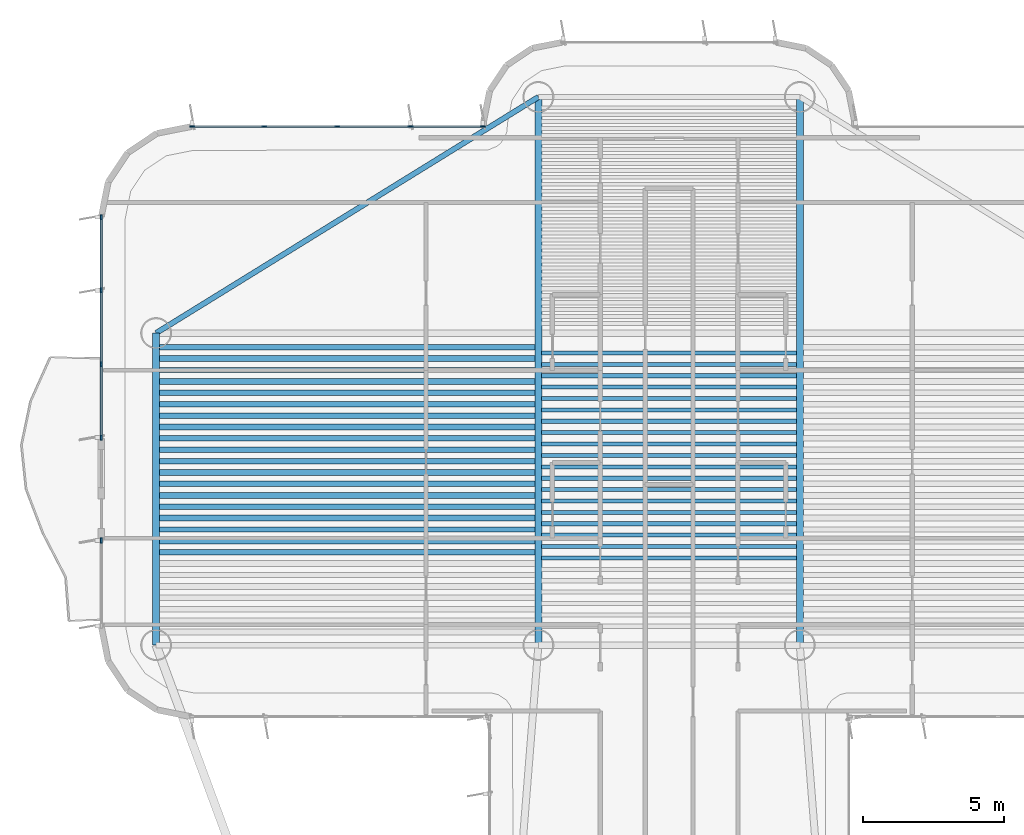
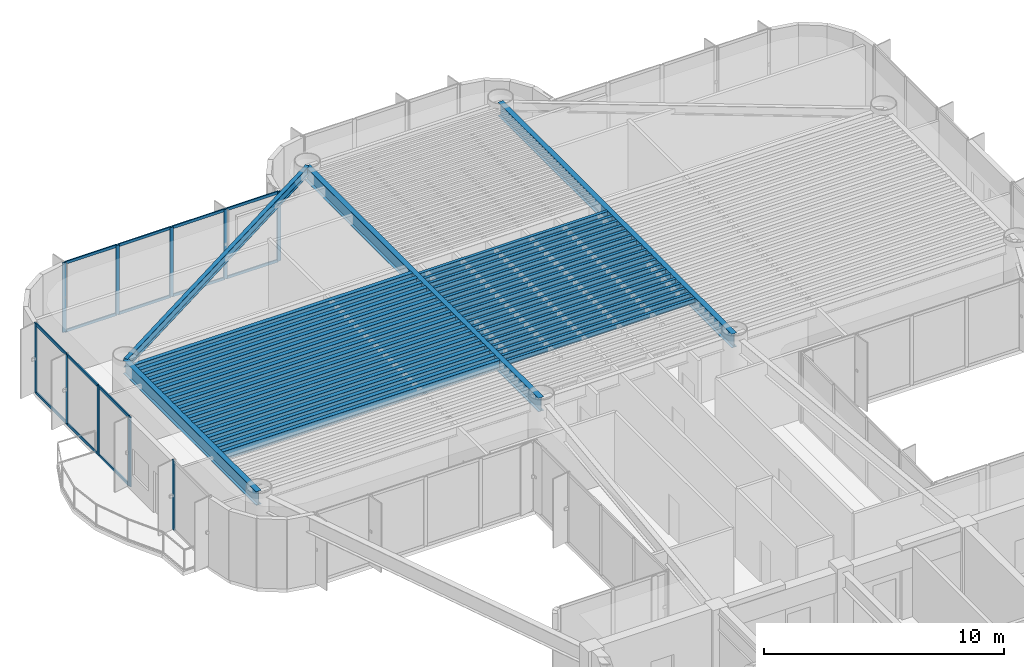
# One storey, part 5 of 15: 42 beams, 24 members, 3 elements without a shape of their own.
"""IFC4 building model written with IfcOpenShell, lengths in metres."""

import ifcopenshell
import ifcopenshell.guid

model = None  # the IFC model being written
_history = None  # IfcOwnerHistory: only IFC2X3 demands one
_inside = {}  # id of a spatial element -> (the spatial element, [elements in it])
_under = {}  # id of a project, library or spatial element -> (it, [spatial elements below it])
_declared = {}  # id of a project -> (the project, [libraries it declares])
_typed = {}  # id of a type object -> (the type object, [elements of that type])
_made_of = {}  # id of a material, layer set ... -> (it, [elements and type objects made of it])


def new_model(schema):
    """Start an empty IFC model of exactly this schema.

    Asked for "IFC4X3", IfcOpenShell would pick the latest addendum, in which some entities
    have other attributes; the version numbers below select the first issue.
    IFC2X3 requires an IfcOwnerHistory on every rooted entity: one is made here for all.
    """
    global model, _history
    if schema == "IFC4X3":
        model = ifcopenshell.file(schema_version=(4, 3, 0, 0))
    else:
        model = ifcopenshell.file(schema=schema)
    _inside.clear()
    _under.clear()
    _declared.clear()
    _typed.clear()
    _made_of.clear()
    _history = None
    if model.schema == "IFC2X3":
        org = make("IfcOrganization", Name="unknown")
        user = make(
            "IfcPersonAndOrganization",
            ThePerson=make("IfcPerson", FamilyName="unknown"),
            TheOrganization=org,
        )
        app = make(
            "IfcApplication",
            ApplicationDeveloper=org,
            Version="unknown",
            ApplicationFullName="unknown",
            ApplicationIdentifier="unknown",
        )
        _history = make(
            "IfcOwnerHistory",
            OwningUser=user,
            OwningApplication=app,
            ChangeAction="ADDED",
            CreationDate=0,
        )
    return model


def make(cls, **values):
    """One entity of the class cls with the attributes given. An attribute that is None is left unset."""
    return model.create_entity(
        cls, **{name: value for name, value in values.items() if value is not None}
    )


def rooted(cls, **values):
    """An entity with a GlobalId (a new one), such as an element, a storey or a relation."""
    return make(cls, GlobalId=ifcopenshell.guid.new(), OwnerHistory=_history, **values)


def si_unit(unit_type, name, prefix=None):
    """IfcSIUnit, for example si_unit("LENGTHUNIT", "METRE", prefix="MILLI")."""
    return make("IfcSIUnit", UnitType=unit_type, Prefix=prefix, Name=name)


def assignment(units):
    """IfcUnitAssignment: the units of a project."""
    return None if units is None else make("IfcUnitAssignment", Units=units)


def point(xyz):
    """IfcCartesianPoint."""
    return None if xyz is None else make("IfcCartesianPoint", Coordinates=xyz)


def direction(xyz):
    """IfcDirection."""
    return None if xyz is None else make("IfcDirection", DirectionRatios=xyz)


def frame(location, z_axis=None, x_axis=None):
    """IfcAxis2Placement3D, a coordinate frame: its origin and axes. An axis left out is left unset."""
    return make(
        "IfcAxis2Placement3D",
        Location=point(location),
        Axis=direction(z_axis),
        RefDirection=direction(x_axis),
    )


def frame_2d(location, x_axis=None):
    """IfcAxis2Placement2D, a coordinate frame in the plane: its origin and x axis."""
    return make(
        "IfcAxis2Placement2D", Location=point(location), RefDirection=direction(x_axis)
    )


def origin():
    """The frame at (0, 0, 0) with its axes left unset."""
    return frame((0.0, 0.0, 0.0))


def origin_2d():
    """The frame at (0, 0) in the plane with its x axis left unset."""
    return frame_2d((0.0, 0.0))


def place(relative_to, where):
    """IfcLocalPlacement: puts the frame where relative to a parent placement (None: the world)."""
    return make(
        "IfcLocalPlacement", PlacementRelTo=relative_to, RelativePlacement=where
    )


def context(
    kind, dimensions, precision=None, world=None, true_north=None, identifier=None
):
    """IfcGeometricRepresentationContext, for example the 3D "Model" context."""
    return make(
        "IfcGeometricRepresentationContext",
        ContextIdentifier=identifier,
        ContextType=kind,
        CoordinateSpaceDimension=dimensions,
        Precision=precision,
        WorldCoordinateSystem=world,
        TrueNorth=true_north,
    )


def subcontext(parent, identifier, kind, view, scale=None):
    """IfcGeometricRepresentationSubContext, for example "Body" below "Model"."""
    return make(
        "IfcGeometricRepresentationSubContext",
        ContextIdentifier=identifier,
        ContextType=kind,
        ParentContext=parent,
        TargetScale=scale,
        TargetView=view,
    )


def project(units=None, contexts=None):
    """IfcProject with its units and contexts."""
    return rooted(
        "IfcProject",
        Name="project",
        RepresentationContexts=contexts,
        UnitsInContext=assignment(units),
    )


def spatial(cls, under=None, at=None, **own):
    """A site, building, storey or space (cls), placed at a placement, below another one or the project."""
    s = rooted(cls, ObjectPlacement=at, **own)
    if under is not None:
        _under.setdefault(under.id(), (under, []))[1].append(s)
    return s


def profile(cls, at=None, kind="AREA", **sizes):
    """A parametric profile (cls). Its sizes go by their IFC names, for example OverallWidth=200.0."""
    return make(cls, ProfileType=kind, Position=at, **sizes)


def rectangle(**sizes):
    """IfcRectangleProfileDef."""
    return profile("IfcRectangleProfileDef", **sizes)


def i_section(**sizes):
    """IfcIShapeProfileDef."""
    return profile("IfcIShapeProfileDef", **sizes)


def extrude(swept, where, along, depth):
    """IfcExtrudedAreaSolid: the profile swept, set in the frame where, extruded along a direction by depth."""
    return make(
        "IfcExtrudedAreaSolid",
        SweptArea=swept,
        Position=where,
        ExtrudedDirection=direction(along),
        Depth=depth,
    )


def shape(context_of_items, identifier, shape_type, items):
    """IfcShapeRepresentation: the items that make up one representation, for example the "Body"."""
    return make(
        "IfcShapeRepresentation",
        ContextOfItems=context_of_items,
        RepresentationIdentifier=identifier,
        RepresentationType=shape_type,
        Items=items,
    )


def source(mapping_origin, context_of_items, identifier, shape_type, items):
    """IfcRepresentationMap: a shape defined once, which mapped items show again and again."""
    return make(
        "IfcRepresentationMap",
        MappingOrigin=mapping_origin,
        MappedRepresentation=shape(context_of_items, identifier, shape_type, items),
    )


def transform(
    local_origin,
    x_axis=None,
    y_axis=None,
    z_axis=None,
    scale=None,
    scale2=None,
    scale3=None,
    uniform=True,
):
    """IfcCartesianTransformationOperator3D, or its non-uniform kind. x_axis, y_axis, z_axis: its Axis1, 2, 3."""
    if uniform:
        return make(
            "IfcCartesianTransformationOperator3D",
            Axis1=direction(x_axis),
            Axis2=direction(y_axis),
            LocalOrigin=point(local_origin),
            Scale=scale,
            Axis3=direction(z_axis),
        )
    return make(
        "IfcCartesianTransformationOperator3DnonUniform",
        Axis1=direction(x_axis),
        Axis2=direction(y_axis),
        LocalOrigin=point(local_origin),
        Scale=scale,
        Axis3=direction(z_axis),
        Scale2=scale2,
        Scale3=scale3,
    )


def mapped(mapping_source, mapping_target):
    """IfcMappedItem: shows the shape of a source again, moved by a transform."""
    return make(
        "IfcMappedItem", MappingSource=mapping_source, MappingTarget=mapping_target
    )


def material(Name=None, Category=None):
    """IfcMaterial."""
    return make("IfcMaterial", Name=Name, Category=Category)


def layer(
    of_material, thickness, ventilated=None, Name=None, Category=None, Priority=None
):
    """IfcMaterialLayer: one layer of a wall or slab, of a material (None: an air gap)."""
    return make(
        "IfcMaterialLayer",
        Material=of_material,
        LayerThickness=thickness,
        IsVentilated=ventilated,
        Name=Name,
        Category=Category,
        Priority=Priority,
    )


def layer_set(layers, Name=None):
    """IfcMaterialLayerSet."""
    return make("IfcMaterialLayerSet", MaterialLayers=layers, LayerSetName=Name)


def material_profile(
    of_material, cross_section, Name=None, Category=None, Priority=None
):
    """IfcMaterialProfile: a cross section and its material."""
    return make(
        "IfcMaterialProfile",
        Name=Name,
        Material=of_material,
        Profile=cross_section,
        Priority=Priority,
        Category=Category,
    )


def profile_set(profiles, Name=None, composite=None):
    """IfcMaterialProfileSet."""
    return make(
        "IfcMaterialProfileSet",
        Name=Name,
        MaterialProfiles=profiles,
        CompositeProfile=composite,
    )


def made_of(thing, what):
    """Note that an element or type object is made of a material, layer set ...; save() writes the relation."""
    if what is not None:
        _made_of.setdefault(what.id(), (what, []))[1].append(thing)
    return thing


def type_object(cls, material=None, **own):
    """A type object (cls), such as IfcWallType, which elements share."""
    return made_of(rooted(cls, **own), material)


def element(
    cls,
    number,
    at=None,
    inside=None,
    cuts=None,
    type_object=None,
    material=None,
    context=None,
    identifier="Body",
    shape_type=None,
    held_by="IfcProductDefinitionShape",
    body=None,
    shapes=None,
    **own,
):
    """One element of the class cls, such as IfcWall. Its Tag is "e" and its number.

    at: its placement. inside: the storey or other place that contains it. cuts: it is an
    opening in that element (IfcRelVoidsElement). A single representation is given by context,
    identifier, shape_type and body (its items); several are given by shapes. held_by: the class
    of the entity that holds the representations. save() writes the other relations.
    """
    e = rooted(cls, Tag="e%d" % number, ObjectPlacement=at, **own)
    if body is not None:
        shapes = [shape(context, identifier, shape_type, body)]
    if shapes is not None:
        e.Representation = make(held_by, Representations=shapes)
    if inside is not None:
        _inside.setdefault(inside.id(), (inside, []))[1].append(e)
    if cuts is not None:
        rooted(
            "IfcRelVoidsElement", RelatingBuildingElement=cuts, RelatedOpeningElement=e
        )
    if type_object is not None:
        _typed.setdefault(type_object.id(), (type_object, []))[1].append(e)
    return made_of(e, material)


def aggregate(whole, parts):
    """IfcRelAggregates: a whole, such as a stair, and the parts it consists of."""
    return rooted("IfcRelAggregates", RelatingObject=whole, RelatedObjects=parts)


def save(model, path):
    """Write the relations noted so far, then the file.

    IfcRelAggregates (storeys below a building ...), IfcRelContainedInSpatialStructure (elements
    in a storey), IfcRelDefinesByType, IfcRelAssociatesMaterial and IfcRelDeclares: one each for
    every whole, place, type object, material and project.
    """
    for whole, parts in _under.values():
        aggregate(whole, parts)
    for where, things in _inside.values():
        rooted(
            "IfcRelContainedInSpatialStructure",
            RelatedElements=things,
            RelatingStructure=where,
        )
    for kind, things in _typed.values():
        rooted("IfcRelDefinesByType", RelatedObjects=things, RelatingType=kind)
    for what, things in _made_of.values():
        rooted("IfcRelAssociatesMaterial", RelatedObjects=things, RelatingMaterial=what)
    for by, libraries in _declared.values():
        rooted("IfcRelDeclares", RelatingContext=by, RelatedDefinitions=libraries)
    model.write(path)


model = new_model("IFC4")

# Units and contexts
model_context = context("Model", 3, precision=1e-05, world=origin(), true_north=direction((0.0, 1.0)))
body_context = subcontext(model_context, "Body", "Model", "MODEL_VIEW")
ifc_project = project(units=[si_unit("LENGTHUNIT", "METRE"), si_unit("AREAUNIT", "SQUARE_METRE"), si_unit("VOLUMEUNIT", "CUBIC_METRE"), si_unit("PLANEANGLEUNIT", "RADIAN"), si_unit("MASSUNIT", "GRAM", prefix="KILO")], contexts=[model_context])

# Site, building, storey
site_placement = place(None, origin())
site = spatial("IfcSite", under=ifc_project, at=site_placement, CompositionType="ELEMENT")
building_placement = place(site_placement, origin())
building = spatial("IfcBuilding", under=site, at=building_placement, Name="Brelvock Crest Care Tower", CompositionType="ELEMENT")
storey_placement = place(building_placement, frame((0.0, 0.0, 167.760009765625)))
storey = spatial("IfcBuildingStorey", under=building, at=storey_placement, Name="L42", CompositionType="ELEMENT", Elevation=167.760009765625)

# Beams
ifc_material_1 = material(Name="Steel Grade 350", Category="steel")
ifc_material_profile_1 = material_profile(ifc_material_1, i_section(OverallWidth=0.14599609375, OverallDepth=0.256103515625, WebThickness=0.00634765625, FlangeThickness=0.010986328125, FilletRadius=0.0087890625, at=origin_2d()), Name="250UB37.3")
ifc_profile_set_1 = profile_set([ifc_material_profile_1], Name="Steel Grade 350")
beam_type_1 = type_object("IfcBeamType", Name="BM-J3", PredefinedType="JOIST", material=ifc_profile_set_1)
shared_shape_1 = source(origin(), body_context, "Body", "SweptSolid", [
    extrude(i_section(OverallWidth=0.14599609375, OverallDepth=0.256103515625, WebThickness=0.00634765625, FlangeThickness=0.010986328125, FilletRadius=0.0087890625, at=origin_2d()), origin(), (0.0, 0.0, 1.0), 9.06982421875),
])
for number, where, z_axis, x_axis, name in (
    (1, (31.465087890625, 38.0498046875, 3.402099609375), (1.0, 0.0, 0.0), (0.0, 1.0, 0.0), "BM-JH-L42-7"),
    (2, (31.465087890625, 38.454833984375, 3.402099609375), (1.0, 0.0, 0.0), (0.0, 1.0, 0.0), "BM-JH-L42-8"),
    (3, (31.465087890625, 38.860107421875, 3.402099609375), (1.0, 0.0, 0.0), (0.0, 1.0, 0.0), "BM-JH-L42-9"),
    (4, (31.465087890625, 39.26513671875, 3.402099609375), (1.0, 0.0, 0.0), (0.0, 1.0, 0.0), "BM-JH-L42-10"),
    (5, (31.465087890625, 39.67041015625, 3.402099609375), (1.0, 0.0, 0.0), (0.0, 1.0, 0.0), "BM-JH-L42-11"),
    (6, (31.465087890625, 40.075439453125, 3.402099609375), (1.0, 0.0, 0.0), (0.0, 1.0, 0.0), "BM-JH-L42-12"),
    (7, (31.465087890625, 40.480712890625, 3.402099609375), (1.0, 0.0, 0.0), (0.0, 1.0, 0.0), "BM-JH-L42-13"),
    (8, (31.465087890625, 40.8857421875, 3.402099609375), (1.0, 0.0, 0.0), (0.0, 1.0, 0.0), "BM-JH-L42-14"),
    (9, (31.465087890625, 41.291015625, 3.402099609375), (1.0, 0.0, 0.0), (0.0, 1.0, 0.0), "BM-JH-L42-15"),
    (10, (31.465087890625, 41.696044921875, 3.402099609375), (1.0, 0.0, 0.0), (0.0, 1.0, 0.0), "BM-JH-L42-16"),
    (11, (31.465087890625, 42.101318359375, 3.402099609375), (1.0, 0.0, 0.0), (0.0, 1.0, 0.0), "BM-JH-L42-17"),
    (12, (31.465087890625, 42.50634765625, 3.402099609375), (1.0, 0.0, 0.0), (0.0, 1.0, 0.0), "BM-JH-L42-18"),
    (13, (31.465087890625, 42.91162109375, 3.402099609375), (1.0, 0.0, 0.0), (0.0, 1.0, 0.0), "BM-JH-L42-19"),
    (14, (31.465087890625, 43.316650390625, 3.402099609375), (1.0, 0.0, 0.0), (0.0, 1.0, 0.0), "BM-JH-L42-20"),
    (15, (31.465087890625, 43.7216796875, 3.402099609375), (1.0, 0.0, 0.0), (0.0, 1.0, 0.0), "BM-JH-L42-21"),
    (16, (31.465087890625, 44.126953125, 3.402099609375), (1.0, 0.0, 0.0), (0.0, 1.0, 0.0), "BM-JH-L42-22"),
    (17, (31.465087890625, 44.531982421875, 3.402099609375), (1.0, 0.0, 0.0), (0.0, 1.0, 0.0), "BM-JH-L42-23"),
    (18, (31.465087890625, 44.937255859375, 3.402099609375), (1.0, 0.0, 0.0), (0.0, 1.0, 0.0), "BM-JH-L42-24"),
    (19, (31.465087890625, 45.34228515625, 3.402099609375), (1.0, 0.0, 0.0), (0.0, 1.0, 0.0), "BM-JH-L42-25"),
):
    element("IfcBeam", number, at=place(storey_placement, frame(where, z_axis=z_axis, x_axis=x_axis)), inside=storey, type_object=beam_type_1, Name=name, PredefinedType="JOIST", context=body_context, shape_type="MappedRepresentation", body=[
        mapped(shared_shape_1, transform((0.0, 0.0, 0.0), x_axis=(1.0, 0.0, 0.0), y_axis=(0.0, 1.0, 0.0), z_axis=(0.0, 0.0, 1.0), scale=1.0)),
    ])
ifc_material_profile_2 = material_profile(ifc_material_1, i_section(OverallWidth=0.208984375, OverallDepth=0.532958984375, WebThickness=0.01025390625, FlangeThickness=0.015625, FilletRadius=0.013916015625, at=origin_2d()), Name="530UB92.4")
ifc_profile_set_2 = profile_set([ifc_material_profile_2], Name="Steel Grade 350")
beam_type_2 = type_object("IfcBeamType", Name="BM-G2", PredefinedType="BEAM", material=ifc_profile_set_2)
shared_shape_2 = source(origin(), body_context, "Body", "SweptSolid", [
    extrude(i_section(OverallWidth=0.208984375, OverallDepth=0.532958984375, WebThickness=0.01025390625, FlangeThickness=0.015625, FilletRadius=0.013916015625, at=origin_2d()), origin(), (0.0, 0.0, 1.0), 13.3701171875),
])
for number, where, z_axis, x_axis, name in (
    (20, (17.864990234375, 38.657470703125, 3.263427734375), (1.0, 0.0, 0.0), (0.0, 1.0, 0.0), "BM-JW-L42-9"),
    (21, (17.864990234375, 39.4677734375, 3.263427734375), (1.0, 0.0, 0.0), (0.0, 1.0, 0.0), "BM-JW-L42-11"),
    (22, (17.864990234375, 40.278076171875, 3.263427734375), (1.0, 0.0, 0.0), (0.0, 1.0, 0.0), "BM-JW-L42-13"),
    (23, (17.864990234375, 41.08837890625, 3.263427734375), (1.0, 0.0, 0.0), (0.0, 1.0, 0.0), "BM-JW-L42-15"),
    (24, (17.864990234375, 41.898681640625, 3.263427734375), (1.0, 0.0, 0.0), (0.0, 1.0, 0.0), "BM-JW-L42-17"),
    (25, (17.864990234375, 42.708984375, 3.263427734375), (1.0, 0.0, 0.0), (0.0, 1.0, 0.0), "BM-JW-L42-19"),
    (26, (17.864990234375, 43.519287109375, 3.263427734375), (1.0, 0.0, 0.0), (0.0, 1.0, 0.0), "BM-JW-L42-21"),
    (27, (17.864990234375, 44.32958984375, 3.263427734375), (1.0, 0.0, 0.0), (0.0, 1.0, 0.0), "BM-JW-L42-23"),
    (28, (17.864990234375, 45.139892578125, 3.263427734375), (1.0, 0.0, 0.0), (0.0, 1.0, 0.0), "BM-JW-L42-25"),
):
    element("IfcBeam", number, at=place(storey_placement, frame(where, z_axis=z_axis, x_axis=x_axis)), inside=storey, type_object=beam_type_2, Name=name, PredefinedType="BEAM", context=body_context, shape_type="MappedRepresentation", body=[
        mapped(shared_shape_2, transform((0.0, 0.0, 0.0), x_axis=(1.0, 0.0, 0.0), y_axis=(0.0, 1.0, 0.0), z_axis=(0.0, 0.0, 1.0), scale=1.0)),
    ])
ifc_material_profile_3 = material_profile(ifc_material_1, i_section(OverallWidth=0.19091796875, OverallDepth=0.4599609375, WebThickness=0.010009765625, FlangeThickness=0.01611328125, FilletRadius=0.011474609375, at=origin_2d()), Name="460UB82.1")
ifc_profile_set_3 = profile_set([ifc_material_profile_3], Name="Steel Grade 350")
beam_type_3 = type_object("IfcBeamType", Name="BM-G3", PredefinedType="BEAM", material=ifc_profile_set_3)
shared_shape_3 = source(origin(), body_context, "Body", "SweptSolid", [
    extrude(i_section(OverallWidth=0.19091796875, OverallDepth=0.4599609375, WebThickness=0.010009765625, FlangeThickness=0.01611328125, FilletRadius=0.011474609375, at=origin_2d()), origin(), (0.0, 0.0, 1.0), 13.3701171875),
])
for number, where, z_axis, x_axis, name in (
    (29, (17.864990234375, 38.252197265625, 3.300048828125), (1.0, 0.0, 0.0), (0.0, 1.0, 0.0), "BM-JW-L42-8"),
    (30, (17.864990234375, 39.0625, 3.300048828125), (1.0, 0.0, 0.0), (0.0, 1.0, 0.0), "BM-JW-L42-10"),
    (31, (17.864990234375, 39.872802734375, 3.300048828125), (1.0, 0.0, 0.0), (0.0, 1.0, 0.0), "BM-JW-L42-12"),
    (32, (17.864990234375, 40.68310546875, 3.300048828125), (1.0, 0.0, 0.0), (0.0, 1.0, 0.0), "BM-JW-L42-14"),
    (33, (17.864990234375, 41.493408203125, 3.300048828125), (1.0, 0.0, 0.0), (0.0, 1.0, 0.0), "BM-JW-L42-16"),
    (34, (17.864990234375, 42.3037109375, 3.300048828125), (1.0, 0.0, 0.0), (0.0, 1.0, 0.0), "BM-JW-L42-18"),
    (35, (17.864990234375, 43.114013671875, 3.300048828125), (1.0, 0.0, 0.0), (0.0, 1.0, 0.0), "BM-JW-L42-20"),
    (36, (17.864990234375, 43.92431640625, 3.300048828125), (1.0, 0.0, 0.0), (0.0, 1.0, 0.0), "BM-JW-L42-22"),
    (37, (17.864990234375, 44.734619140625, 3.300048828125), (1.0, 0.0, 0.0), (0.0, 1.0, 0.0), "BM-JW-L42-24"),
    (38, (17.864990234375, 45.544921875, 3.300048828125), (1.0, 0.0, 0.0), (0.0, 1.0, 0.0), "BM-JW-L42-26"),
):
    element("IfcBeam", number, at=place(storey_placement, frame(where, z_axis=z_axis, x_axis=x_axis)), inside=storey, type_object=beam_type_3, Name=name, PredefinedType="BEAM", context=body_context, shape_type="MappedRepresentation", body=[
        mapped(shared_shape_3, transform((0.0, 0.0, 0.0), x_axis=(1.0, 0.0, 0.0), y_axis=(0.0, 1.0, 0.0), z_axis=(0.0, 0.0, 1.0), scale=1.0)),
    ])
ifc_material_profile_4 = material_profile(ifc_material_1, i_section(OverallWidth=0.25, OverallDepth=0.699951171875, WebThickness=0.011962890625, FlangeThickness=0.02001953125, at=origin_2d()), Name="700WB150")
ifc_profile_set_4 = profile_set([ifc_material_profile_4], Name="Steel Grade 350")
beam_type_4 = type_object("IfcBeamType", Name="BM-G4", PredefinedType="BEAM", material=ifc_profile_set_4)
shared_shape_4 = source(origin(), body_context, "Body", "SweptSolid", [
    extrude(i_section(OverallWidth=0.25, OverallDepth=0.699951171875, WebThickness=0.011962890625, FlangeThickness=0.02001953125, at=origin_2d()), origin(), (0.0, 0.0, 1.0), 11.10009765625),
])
beam_1_placement = place(storey_placement, frame((17.75, 34.949951171875, 3.179931640625), z_axis=(0.0, 1.0, 0.0), x_axis=(-1.0, 0.0, 0.0)))
element("IfcBeam", 39, at=beam_1_placement, inside=storey, type_object=beam_type_4, Name="BM-TWR-L42-01", PredefinedType="BEAM", context=body_context, shape_type="MappedRepresentation", body=[
    mapped(shared_shape_4, transform((0.0, 0.0, 0.0), x_axis=(1.0, 0.0, 0.0), y_axis=(0.0, 1.0, 0.0), z_axis=(0.0, 0.0, 1.0), scale=1.0)),
])
ifc_material_profile_5 = material_profile(ifc_material_1, i_section(OverallWidth=0.19091796875, OverallDepth=0.4599609375, WebThickness=0.010009765625, FlangeThickness=0.01611328125, FilletRadius=0.011474609375, at=origin_2d()), Name="460UB82.1")
ifc_profile_set_5 = profile_set([ifc_material_profile_5], Name="Steel Grade 350")
beam_type_5 = type_object("IfcBeamType", Name="BM-SP2", PredefinedType="SPANDREL", material=ifc_profile_set_5)
shared_shape_5 = source(origin(), body_context, "Body", "SweptSolid", [
    extrude(i_section(OverallWidth=0.19091796875, OverallDepth=0.4599609375, WebThickness=0.010009765625, FlangeThickness=0.01611328125, FilletRadius=0.011474609375, at=origin_2d()), origin(), (0.0, 0.0, 1.0), 15.985107421875),
])
beam_2_placement = place(storey_placement, frame((17.75, 46.050048828125, 3.300048828125), z_axis=(0.850802415717, 0.525485727124, 0.0), x_axis=(-0.525485727124, 0.850802415717, 0.0)))
element("IfcBeam", 40, at=beam_2_placement, inside=storey, type_object=beam_type_5, Name="BM-TWR-L42-06", PredefinedType="SPANDREL", context=body_context, shape_type="MappedRepresentation", body=[
    mapped(shared_shape_5, transform((0.0, 0.0, 0.0), x_axis=(1.0, 0.0, 0.0), y_axis=(0.0, 1.0, 0.0), z_axis=(0.0, 0.0, 1.0), scale=1.0)),
])
shared_shape_6 = source(origin(), body_context, "Body", "SweptSolid", [
    extrude(i_section(OverallWidth=0.25, OverallDepth=0.699951171875, WebThickness=0.011962890625, FlangeThickness=0.02001953125, at=origin_2d()), origin(), (0.0, 0.0, 1.0), 19.5),
])
for number, where, z_axis, x_axis, name in (
    (41, (31.35009765625, 34.949951171875, 3.179931640625), (0.0, 1.0, 0.0), (-1.0, 0.0, 0.0), "BM-TWR-L42-09"),
    (42, (40.64990234375, 34.949951171875, 3.179931640625), (0.0, 1.0, 0.0), (-1.0, 0.0, 0.0), "BM-TWR-L42-10"),
):
    element("IfcBeam", number, at=place(storey_placement, frame(where, z_axis=z_axis, x_axis=x_axis)), inside=storey, type_object=beam_type_4, Name=name, PredefinedType="BEAM", context=body_context, shape_type="MappedRepresentation", body=[
        mapped(shared_shape_6, transform((0.0, 0.0, 0.0), x_axis=(1.0, 0.0, 0.0), y_axis=(0.0, 1.0, 0.0), z_axis=(0.0, 0.0, 1.0), scale=1.0)),
    ])

# Curtain wall, member
ifc_material_2 = material(Name="Dark Glass Double Glazed Low-E", Category="glass")
ifc_layer = layer(ifc_material_2, 0.22509765625, Name="CWS-4")
ifc_layer_set = layer_set([ifc_layer], Name="Dark Glass Double Glazed Low-E")
curtain_wall_type = type_object("IfcCurtainWallType", Name="CWS-4", PredefinedType="NOTDEFINED", material=ifc_layer_set)
curtain_wall_1_placement = place(storey_placement, origin())
curtain_wall_1 = element("IfcCurtainWall", 43, at=curtain_wall_1_placement, inside=storey, type_object=curtain_wall_type, Name="L42 Curtain Wall E17A", PredefinedType="NOTDEFINED")
ifc_material_3 = material(Name="Aluminium 6063-T6", Category="aluminium")
ifc_material_profile_6 = material_profile(ifc_material_3, rectangle(XDim=0.06005859375, YDim=0.179931640625, at=origin_2d()), Name="ALU60x180")
ifc_profile_set_6 = profile_set([ifc_material_profile_6], Name="Aluminium 6063-T6")
member_type_1 = type_object("IfcMemberType", Name="CWM-2", PredefinedType="MULLION", material=ifc_profile_set_6)
shared_shape_7 = source(origin(), body_context, "Body", "SweptSolid", [
    extrude(rectangle(XDim=0.06005859375, YDim=0.179931640625, at=origin_2d()), origin(), (0.0, 0.0, 1.0), 3.530029296875),
])
member_1_placement = place(storey_placement, frame((15.800048828125, 38.669921875, 0.0), z_axis=(0.0, 0.0, 1.0), x_axis=(-1.0, 0.0, 0.0)))
member_1 = element("IfcMember", 44, at=member_1_placement, type_object=member_type_1, Name="CW-4 mullion 2", PredefinedType="MULLION", context=body_context, shape_type="MappedRepresentation", body=[
    mapped(shared_shape_7, transform((0.0, 0.0, 0.0), x_axis=(1.0, 0.0, 0.0), y_axis=(0.0, 1.0, 0.0), z_axis=(0.0, 0.0, 1.0), scale=1.0)),
])
aggregate(curtain_wall_1, [member_1])

# Curtain wall, members
curtain_wall_2_placement = place(storey_placement, origin())
curtain_wall_2 = element("IfcCurtainWall", 45, at=curtain_wall_2_placement, inside=storey, type_object=curtain_wall_type, Name="L42 Curtain Wall E17B", PredefinedType="NOTDEFINED")
member_2_placement = place(storey_placement, frame((15.800048828125, 42.330078125, 0.0), z_axis=(0.0, 0.0, 1.0), x_axis=(-1.0, 0.0, 0.0)))
member_2 = element("IfcMember", 46, at=member_2_placement, type_object=member_type_1, Name="CW-4 mullion 1", PredefinedType="MULLION", context=body_context, shape_type="MappedRepresentation", body=[
    mapped(shared_shape_7, transform((0.0, 0.0, 0.0), x_axis=(1.0, 0.0, 0.0), y_axis=(0.0, 1.0, 0.0), z_axis=(0.0, 0.0, 1.0), scale=1.0)),
])
member_3_placement = place(storey_placement, frame((15.800048828125, 44.933349609375, 0.0), z_axis=(0.0, 0.0, 1.0), x_axis=(-1.0, 0.0, 0.0)))
member_3 = element("IfcMember", 47, at=member_3_placement, type_object=member_type_1, Name="CW-4 mullion 2", PredefinedType="MULLION", context=body_context, shape_type="MappedRepresentation", body=[
    mapped(shared_shape_7, transform((0.0, 0.0, 0.0), x_axis=(1.0, 0.0, 0.0), y_axis=(0.0, 1.0, 0.0), z_axis=(0.0, 0.0, 1.0), scale=1.0)),
])
member_4_placement = place(storey_placement, frame((15.800048828125, 47.566650390625, 0.0), z_axis=(0.0, 0.0, 1.0), x_axis=(-1.0, 0.0, 0.0)))
member_4 = element("IfcMember", 48, at=member_4_placement, type_object=member_type_1, Name="CW-4 mullion 3", PredefinedType="MULLION", context=body_context, shape_type="MappedRepresentation", body=[
    mapped(shared_shape_7, transform((0.0, 0.0, 0.0), x_axis=(1.0, 0.0, 0.0), y_axis=(0.0, 1.0, 0.0), z_axis=(0.0, 0.0, 1.0), scale=1.0)),
])
member_5_placement = place(storey_placement, frame((15.800048828125, 50.169921875, 0.0), z_axis=(0.0, 0.0, 1.0), x_axis=(-1.0, 0.0, 0.0)))
member_5 = element("IfcMember", 49, at=member_5_placement, type_object=member_type_1, Name="CW-4 mullion 4", PredefinedType="MULLION", context=body_context, shape_type="MappedRepresentation", body=[
    mapped(shared_shape_7, transform((0.0, 0.0, 0.0), x_axis=(1.0, 0.0, 0.0), y_axis=(0.0, 1.0, 0.0), z_axis=(0.0, 0.0, 1.0), scale=1.0)),
])

curtain_wall_3_placement = place(storey_placement, origin())
curtain_wall_3 = element("IfcCurtainWall", 50, at=curtain_wall_3_placement, inside=storey, type_object=curtain_wall_type, Name="L42 Curtain Wall E22", PredefinedType="NOTDEFINED")
member_6_placement = place(storey_placement, frame((19.030029296875, 53.39990234375, 0.0), z_axis=(0.0, 0.0, 1.0), x_axis=(0.0, 1.0, 0.0)))
member_6 = element("IfcMember", 51, at=member_6_placement, type_object=member_type_1, Name="CW-4 mullion 1", PredefinedType="MULLION", context=body_context, shape_type="MappedRepresentation", body=[
    mapped(shared_shape_7, transform((0.0, 0.0, 0.0), x_axis=(1.0, 0.0, 0.0), y_axis=(0.0, 1.0, 0.0), z_axis=(0.0, 0.0, 1.0), scale=1.0)),
])
member_7_placement = place(storey_placement, frame((21.60009765625, 53.39990234375, 0.0), z_axis=(0.0, 0.0, 1.0), x_axis=(0.0, 1.0, 0.0)))
member_7 = element("IfcMember", 52, at=member_7_placement, type_object=member_type_1, Name="CW-4 mullion 2", PredefinedType="MULLION", context=body_context, shape_type="MappedRepresentation", body=[
    mapped(shared_shape_7, transform((0.0, 0.0, 0.0), x_axis=(1.0, 0.0, 0.0), y_axis=(0.0, 1.0, 0.0), z_axis=(0.0, 0.0, 1.0), scale=1.0)),
])
member_8_placement = place(storey_placement, frame((24.199951171875, 53.39990234375, 0.0), z_axis=(0.0, 0.0, 1.0), x_axis=(0.0, 1.0, 0.0)))
member_8 = element("IfcMember", 53, at=member_8_placement, type_object=member_type_1, Name="CW-4 mullion 3", PredefinedType="MULLION", context=body_context, shape_type="MappedRepresentation", body=[
    mapped(shared_shape_7, transform((0.0, 0.0, 0.0), x_axis=(1.0, 0.0, 0.0), y_axis=(0.0, 1.0, 0.0), z_axis=(0.0, 0.0, 1.0), scale=1.0)),
])
member_9_placement = place(storey_placement, frame((26.800048828125, 53.39990234375, 0.0), z_axis=(0.0, 0.0, 1.0), x_axis=(0.0, 1.0, 0.0)))
member_9 = element("IfcMember", 54, at=member_9_placement, type_object=member_type_1, Name="CW-4 mullion 4", PredefinedType="MULLION", context=body_context, shape_type="MappedRepresentation", body=[
    mapped(shared_shape_7, transform((0.0, 0.0, 0.0), x_axis=(1.0, 0.0, 0.0), y_axis=(0.0, 1.0, 0.0), z_axis=(0.0, 0.0, 1.0), scale=1.0)),
])
member_10_placement = place(storey_placement, frame((29.3701171875, 53.39990234375, 0.0), z_axis=(0.0, 0.0, 1.0), x_axis=(0.0, 1.0, 0.0)))
member_10 = element("IfcMember", 55, at=member_10_placement, type_object=member_type_1, Name="CW-4 mullion 5", PredefinedType="MULLION", context=body_context, shape_type="MappedRepresentation", body=[
    mapped(shared_shape_7, transform((0.0, 0.0, 0.0), x_axis=(1.0, 0.0, 0.0), y_axis=(0.0, 1.0, 0.0), z_axis=(0.0, 0.0, 1.0), scale=1.0)),
])
ifc_material_profile_7 = material_profile(ifc_material_3, rectangle(XDim=0.06005859375, YDim=0.139892578125, at=origin_2d()), Name="ALU60x140")
ifc_profile_set_7 = profile_set([ifc_material_profile_7], Name="Aluminium 6063-T6")
member_type_2 = type_object("IfcMemberType", Name="CWT-2", PredefinedType="USERDEFINED", material=ifc_profile_set_7)
shared_shape_8 = source(origin(), body_context, "Body", "SweptSolid", [
    extrude(rectangle(XDim=0.06005859375, YDim=0.139892578125, at=origin_2d()), origin(), (0.0, 0.0, 1.0), 2.510009765625),
])
member_11_placement = place(storey_placement, frame((19.06005859375, 53.39990234375, 0.030029296875), z_axis=(1.0, 0.0, 0.0), x_axis=(0.0, 1.0, 0.0)))
member_11 = element("IfcMember", 56, at=member_11_placement, type_object=member_type_2, Name="CW-4 transom 1.1", ObjectType="TRANSOM", PredefinedType="USERDEFINED", context=body_context, shape_type="MappedRepresentation", body=[
    mapped(shared_shape_8, transform((0.0, 0.0, 0.0), x_axis=(1.0, 0.0, 0.0), y_axis=(0.0, 1.0, 0.0), z_axis=(0.0, 0.0, 1.0), scale=1.0)),
])
member_12_placement = place(storey_placement, frame((19.06005859375, 53.39990234375, 3.5), z_axis=(1.0, 0.0, 0.0), x_axis=(0.0, 1.0, 0.0)))
member_12 = element("IfcMember", 57, at=member_12_placement, type_object=member_type_2, Name="CW-4 transom 1.2", ObjectType="TRANSOM", PredefinedType="USERDEFINED", context=body_context, shape_type="MappedRepresentation", body=[
    mapped(shared_shape_8, transform((0.0, 0.0, 0.0), x_axis=(1.0, 0.0, 0.0), y_axis=(0.0, 1.0, 0.0), z_axis=(0.0, 0.0, 1.0), scale=1.0)),
])
member_13_placement = place(storey_placement, frame((26.830078125, 53.39990234375, 0.030029296875), z_axis=(1.0, 0.0, 0.0), x_axis=(0.0, 1.0, 0.0)))
member_13 = element("IfcMember", 58, at=member_13_placement, type_object=member_type_2, Name="CW-4 transom 4.1", ObjectType="TRANSOM", PredefinedType="USERDEFINED", context=body_context, shape_type="MappedRepresentation", body=[
    mapped(shared_shape_8, transform((0.0, 0.0, 0.0), x_axis=(1.0, 0.0, 0.0), y_axis=(0.0, 1.0, 0.0), z_axis=(0.0, 0.0, 1.0), scale=1.0)),
])
member_14_placement = place(storey_placement, frame((26.830078125, 53.39990234375, 3.5), z_axis=(1.0, 0.0, 0.0), x_axis=(0.0, 1.0, 0.0)))
member_14 = element("IfcMember", 59, at=member_14_placement, type_object=member_type_2, Name="CW-4 transom 4.2", ObjectType="TRANSOM", PredefinedType="USERDEFINED", context=body_context, shape_type="MappedRepresentation", body=[
    mapped(shared_shape_8, transform((0.0, 0.0, 0.0), x_axis=(1.0, 0.0, 0.0), y_axis=(0.0, 1.0, 0.0), z_axis=(0.0, 0.0, 1.0), scale=1.0)),
])
shared_shape_9 = source(origin(), body_context, "Body", "SweptSolid", [
    extrude(rectangle(XDim=0.06005859375, YDim=0.139892578125, at=origin_2d()), origin(), (0.0, 0.0, 1.0), 2.5400390625),
])
member_15_placement = place(storey_placement, frame((21.6298828125, 53.39990234375, 0.030029296875), z_axis=(1.0, 0.0, 0.0), x_axis=(0.0, 1.0, 0.0)))
member_15 = element("IfcMember", 60, at=member_15_placement, type_object=member_type_2, Name="CW-4 transom 2.1", ObjectType="TRANSOM", PredefinedType="USERDEFINED", context=body_context, shape_type="MappedRepresentation", body=[
    mapped(shared_shape_9, transform((0.0, 0.0, 0.0), x_axis=(1.0, 0.0, 0.0), y_axis=(0.0, 1.0, 0.0), z_axis=(0.0, 0.0, 1.0), scale=1.0)),
])
member_16_placement = place(storey_placement, frame((21.6298828125, 53.39990234375, 3.5), z_axis=(1.0, 0.0, 0.0), x_axis=(0.0, 1.0, 0.0)))
member_16 = element("IfcMember", 61, at=member_16_placement, type_object=member_type_2, Name="CW-4 transom 2.2", ObjectType="TRANSOM", PredefinedType="USERDEFINED", context=body_context, shape_type="MappedRepresentation", body=[
    mapped(shared_shape_9, transform((0.0, 0.0, 0.0), x_axis=(1.0, 0.0, 0.0), y_axis=(0.0, 1.0, 0.0), z_axis=(0.0, 0.0, 1.0), scale=1.0)),
])
member_17_placement = place(storey_placement, frame((24.22998046875, 53.39990234375, 0.030029296875), z_axis=(1.0, 0.0, 0.0), x_axis=(0.0, 1.0, 0.0)))
member_17 = element("IfcMember", 62, at=member_17_placement, type_object=member_type_2, Name="CW-4 transom 3.1", ObjectType="TRANSOM", PredefinedType="USERDEFINED", context=body_context, shape_type="MappedRepresentation", body=[
    mapped(shared_shape_9, transform((0.0, 0.0, 0.0), x_axis=(1.0, 0.0, 0.0), y_axis=(0.0, 1.0, 0.0), z_axis=(0.0, 0.0, 1.0), scale=1.0)),
])
member_18_placement = place(storey_placement, frame((24.22998046875, 53.39990234375, 3.5), z_axis=(1.0, 0.0, 0.0), x_axis=(0.0, 1.0, 0.0)))
member_18 = element("IfcMember", 63, at=member_18_placement, type_object=member_type_2, Name="CW-4 transom 3.2", ObjectType="TRANSOM", PredefinedType="USERDEFINED", context=body_context, shape_type="MappedRepresentation", body=[
    mapped(shared_shape_9, transform((0.0, 0.0, 0.0), x_axis=(1.0, 0.0, 0.0), y_axis=(0.0, 1.0, 0.0), z_axis=(0.0, 0.0, 1.0), scale=1.0)),
])
aggregate(curtain_wall_3, [member_6, member_7, member_8, member_9, member_10, member_11, member_12, member_15, member_16, member_17, member_18, member_13, member_14])

# Member
shared_shape_10 = source(origin(), body_context, "Body", "SweptSolid", [
    extrude(rectangle(XDim=0.06005859375, YDim=0.139892578125, at=origin_2d()), origin(), (0.0, 0.0, 1.0), 2.543212890625),
])
member_19_placement = place(storey_placement, frame((15.800048828125, 42.360107421875, 0.030029296875), z_axis=(0.0, 1.0, 0.0), x_axis=(-1.0, 0.0, 0.0)))
member_19 = element("IfcMember", 64, at=member_19_placement, type_object=member_type_2, Name="CW-4 transom 1.1", ObjectType="TRANSOM", PredefinedType="USERDEFINED", context=body_context, shape_type="MappedRepresentation", body=[
    mapped(shared_shape_10, transform((0.0, 0.0, 0.0), x_axis=(1.0, 0.0, 0.0), y_axis=(0.0, 1.0, 0.0), z_axis=(0.0, 0.0, 1.0), scale=1.0)),
])

member_20_placement = place(storey_placement, frame((15.800048828125, 42.360107421875, 3.5), z_axis=(0.0, 1.0, 0.0), x_axis=(-1.0, 0.0, 0.0)))
member_20 = element("IfcMember", 65, at=member_20_placement, type_object=member_type_2, Name="CW-4 transom 1.2", ObjectType="TRANSOM", PredefinedType="USERDEFINED", context=body_context, shape_type="MappedRepresentation", body=[
    mapped(shared_shape_10, transform((0.0, 0.0, 0.0), x_axis=(1.0, 0.0, 0.0), y_axis=(0.0, 1.0, 0.0), z_axis=(0.0, 0.0, 1.0), scale=1.0)),
])

member_21_placement = place(storey_placement, frame((15.800048828125, 47.5966796875, 0.030029296875), z_axis=(0.0, 1.0, 0.0), x_axis=(-1.0, 0.0, 0.0)))
member_21 = element("IfcMember", 66, at=member_21_placement, type_object=member_type_2, Name="CW-4 transom 3.1", ObjectType="TRANSOM", PredefinedType="USERDEFINED", context=body_context, shape_type="MappedRepresentation", body=[
    mapped(shared_shape_10, transform((0.0, 0.0, 0.0), x_axis=(1.0, 0.0, 0.0), y_axis=(0.0, 1.0, 0.0), z_axis=(0.0, 0.0, 1.0), scale=1.0)),
])

member_22_placement = place(storey_placement, frame((15.800048828125, 47.5966796875, 3.5), z_axis=(0.0, 1.0, 0.0), x_axis=(-1.0, 0.0, 0.0)))
member_22 = element("IfcMember", 67, at=member_22_placement, type_object=member_type_2, Name="CW-4 transom 3.2", ObjectType="TRANSOM", PredefinedType="USERDEFINED", context=body_context, shape_type="MappedRepresentation", body=[
    mapped(shared_shape_10, transform((0.0, 0.0, 0.0), x_axis=(1.0, 0.0, 0.0), y_axis=(0.0, 1.0, 0.0), z_axis=(0.0, 0.0, 1.0), scale=1.0)),
])

shared_shape_11 = source(origin(), body_context, "Body", "SweptSolid", [
    extrude(rectangle(XDim=0.06005859375, YDim=0.139892578125, at=origin_2d()), origin(), (0.0, 0.0, 1.0), 2.5732421875),
])
member_23_placement = place(storey_placement, frame((15.800048828125, 44.96337890625, 0.030029296875), z_axis=(0.0, 1.0, 0.0), x_axis=(-1.0, 0.0, 0.0)))
member_23 = element("IfcMember", 68, at=member_23_placement, type_object=member_type_2, Name="CW-4 transom 2.1", ObjectType="TRANSOM", PredefinedType="USERDEFINED", context=body_context, shape_type="MappedRepresentation", body=[
    mapped(shared_shape_11, transform((0.0, 0.0, 0.0), x_axis=(1.0, 0.0, 0.0), y_axis=(0.0, 1.0, 0.0), z_axis=(0.0, 0.0, 1.0), scale=1.0)),
])

member_24_placement = place(storey_placement, frame((15.800048828125, 44.96337890625, 3.5), z_axis=(0.0, 1.0, 0.0), x_axis=(-1.0, 0.0, 0.0)))
member_24 = element("IfcMember", 69, at=member_24_placement, type_object=member_type_2, Name="CW-4 transom 2.2", ObjectType="TRANSOM", PredefinedType="USERDEFINED", context=body_context, shape_type="MappedRepresentation", body=[
    mapped(shared_shape_11, transform((0.0, 0.0, 0.0), x_axis=(1.0, 0.0, 0.0), y_axis=(0.0, 1.0, 0.0), z_axis=(0.0, 0.0, 1.0), scale=1.0)),
])

aggregate(curtain_wall_2, [member_2, member_3, member_4, member_5, member_19, member_20, member_23, member_24, member_21, member_22])

save(model, "model.ifc")
